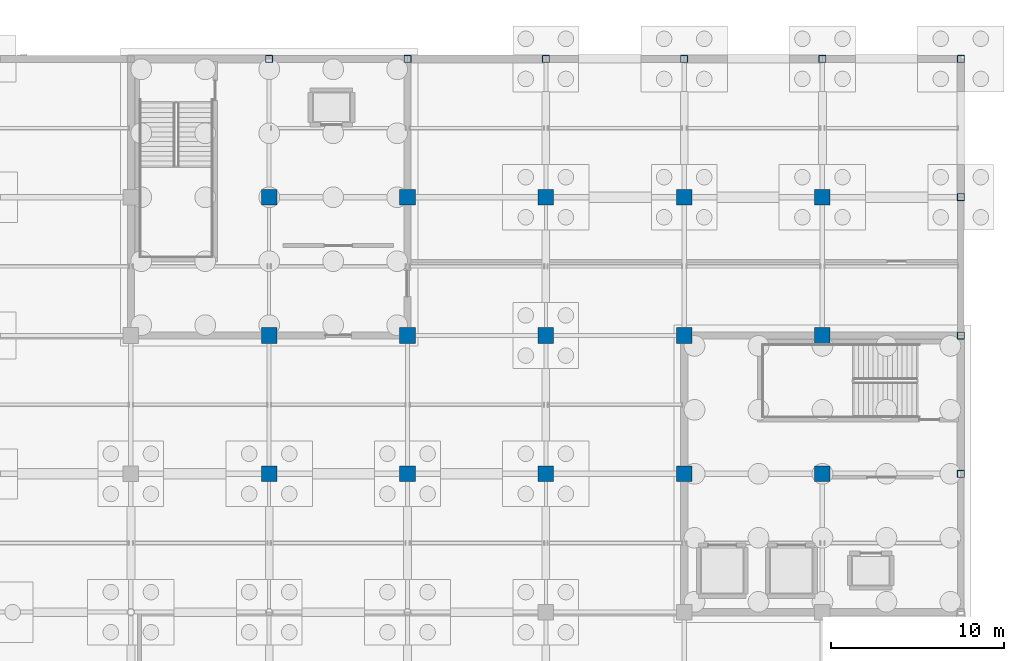
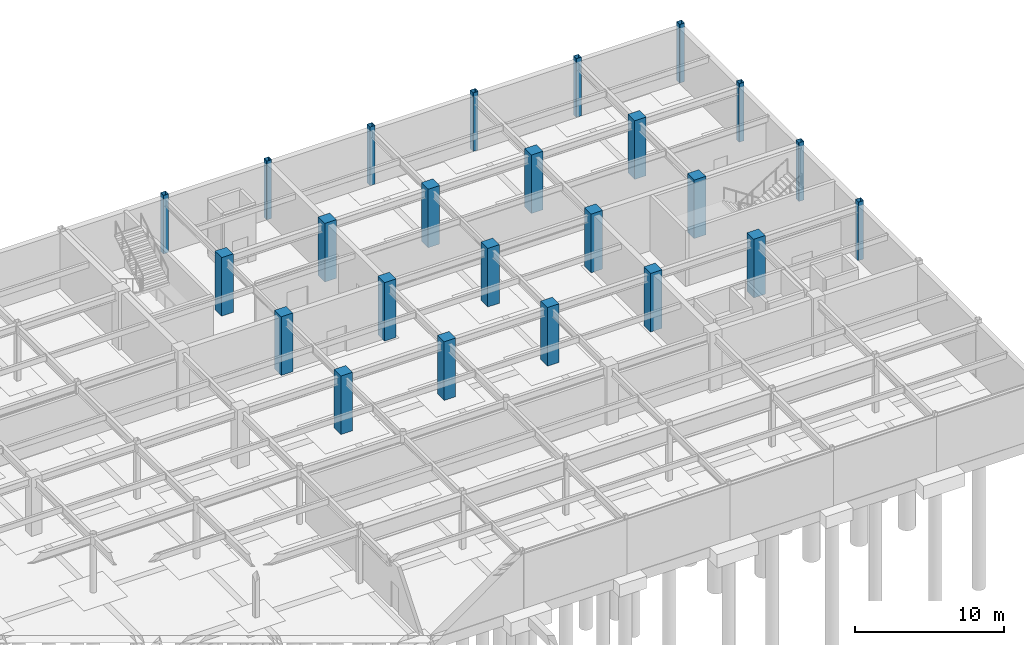
# One storey, part 43 of 105: 24 columns.
"""IFC4 building model written with IfcOpenShell, lengths in metres."""

from ifc_helpers import new_model, si_unit, direction, frame, origin, origin_2d, place, context, subcontext, project, spatial, rectangle, hollow_rectangle, extrude, material, material_profile, profile_set, type_object, element, save


model = new_model("IFC4")

# Units and contexts
model_context = context("Model", 3, precision=1e-05, world=origin(), true_north=direction((0.0, 1.0)))
body_context = subcontext(model_context, "Body", "Model", "MODEL_VIEW")
ifc_project = project(units=[si_unit("LENGTHUNIT", "METRE"), si_unit("AREAUNIT", "SQUARE_METRE"), si_unit("VOLUMEUNIT", "CUBIC_METRE"), si_unit("PLANEANGLEUNIT", "RADIAN"), si_unit("MASSUNIT", "GRAM", prefix="KILO")], contexts=[model_context])

# Site, building, storey
site_placement = place(None, origin())
site = spatial("IfcSite", under=ifc_project, at=site_placement, CompositionType="ELEMENT")
building_placement = place(site_placement, origin())
building = spatial("IfcBuilding", under=site, at=building_placement, Name="Solmirada Galleria", CompositionType="ELEMENT")
storey_placement = place(building_placement, frame((0.0, 0.0, -4.800048828125)))
storey = spatial("IfcBuildingStorey", under=building, at=storey_placement, Name="B1", CompositionType="ELEMENT", Elevation=-4.800048828125)

# Columns
ifc_material_1 = material(Name="Steel S355 / ASTM A500 Grade C", Category="steel")
ifc_material_profile_1 = material_profile(ifc_material_1, hollow_rectangle(XDim=0.406005859375, YDim=0.406005859375, WallThickness=0.0146484375, InnerFilletRadius=0.0146484375, OuterFilletRadius=0.029296875, at=origin_2d()), Name="HSS16X16X5/8")
ifc_profile_set_1 = profile_set([ifc_material_profile_1], Name="Steel S355 / ASTM A500 Grade C")
column_type_1 = type_object("IfcColumnType", Name="COL-HSS16", PredefinedType="COLUMN", material=ifc_profile_set_1)
for number, where, z_axis, x_axis, name in (
    (1, (136.0, 120.0, 0.0), (0.0, 0.0, 1.0), (1.0, 0.0, 0.0), "Structural column B1-1196"),
    (2, (144.0, 120.0, 0.0), (0.0, 0.0, 1.0), (1.0, 0.0, 0.0), "Structural column B1-1282"),
    (3, (152.0, 120.0, 0.0), (0.0, 0.0, 1.0), (1.0, 0.0, 0.0), "Structural column B1-1355"),
    (4, (160.0, 120.0, 0.0), (0.0, 0.0, 1.0), (1.0, 0.0, 0.0), "Structural column B1-1428"),
    (5, (168.0, 120.0, 0.0), (0.0, 0.0, 1.0), (1.0, 0.0, 0.0), "Structural column B1-1501"),
    (6, (176.0, 96.0, 0.0), (0.0, 0.0, 1.0), (1.0, 0.0, 0.0), "Structural column B1-1547"),
    (7, (176.0, 104.0, 0.0), (0.0, 0.0, 1.0), (1.0, 0.0, 0.0), "Structural column B1-1556"),
    (8, (176.0, 112.0, 0.0), (0.0, 0.0, 1.0), (1.0, 0.0, 0.0), "Structural column B1-1565"),
    (9, (176.0, 120.0, 0.0), (0.0, 0.0, 1.0), (1.0, 0.0, 0.0), "Structural column B1-1574"),
):
    element("IfcColumn", number, at=place(storey_placement, frame(where, z_axis=z_axis, x_axis=x_axis)), inside=storey, type_object=column_type_1, Name=name, PredefinedType="COLUMN", context=body_context, shape_type="SweptSolid", body=[
        extrude(hollow_rectangle(XDim=0.406005859375, YDim=0.406005859375, WallThickness=0.0146484375, InnerFilletRadius=0.0146484375, OuterFilletRadius=0.029296875, at=origin_2d()), origin(), (0.0, 0.0, 1.0), 4.800048828125),
    ])
ifc_material_2 = material(Name="Concrete C40/50", Category="concrete")
ifc_material_profile_2 = material_profile(ifc_material_2, rectangle(XDim=0.89990234375, YDim=0.89990234375, at=origin_2d()), Name="RC900X900")
ifc_profile_set_2 = profile_set([ifc_material_profile_2], Name="Concrete C40/50")
column_type_2 = type_object("IfcColumnType", Name="COL-RC900", PredefinedType="COLUMN", material=ifc_profile_set_2)
for number, where, z_axis, x_axis, name in (
    (10, (136.0, 96.0, 0.0), (0.0, 0.0, 1.0), (1.0, 0.0, 0.0), "Structural column B1-1169"),
    (11, (136.0, 104.0, 0.0), (0.0, 0.0, 1.0), (1.0, 0.0, 0.0), "Structural column B1-1178"),
    (12, (136.0, 112.0, 0.0), (0.0, 0.0, 1.0), (1.0, 0.0, 0.0), "Structural column B1-1187"),
    (13, (144.0, 96.0, 0.0), (0.0, 0.0, 1.0), (1.0, 0.0, 0.0), "Structural column B1-1255"),
    (14, (144.0, 104.0, 0.0), (0.0, 0.0, 1.0), (1.0, 0.0, 0.0), "Structural column B1-1264"),
    (15, (144.0, 112.0, 0.0), (0.0, 0.0, 1.0), (1.0, 0.0, 0.0), "Structural column B1-1273"),
    (16, (152.0, 96.0, 0.0), (0.0, 0.0, 1.0), (1.0, 0.0, 0.0), "Structural column B1-1328"),
    (17, (152.0, 104.0, 0.0), (0.0, 0.0, 1.0), (1.0, 0.0, 0.0), "Structural column B1-1337"),
    (18, (152.0, 112.0, 0.0), (0.0, 0.0, 1.0), (1.0, 0.0, 0.0), "Structural column B1-1346"),
    (19, (160.0, 96.0, 0.0), (0.0, 0.0, 1.0), (1.0, 0.0, 0.0), "Structural column B1-1401"),
    (20, (160.0, 104.0, 0.0), (0.0, 0.0, 1.0), (1.0, 0.0, 0.0), "Structural column B1-1410"),
    (21, (160.0, 112.0, 0.0), (0.0, 0.0, 1.0), (1.0, 0.0, 0.0), "Structural column B1-1419"),
    (22, (168.0, 96.0, 0.0), (0.0, 0.0, 1.0), (1.0, 0.0, 0.0), "Structural column B1-1474"),
    (23, (168.0, 104.0, 0.0), (0.0, 0.0, 1.0), (1.0, 0.0, 0.0), "Structural column B1-1483"),
    (24, (168.0, 112.0, 0.0), (0.0, 0.0, 1.0), (1.0, 0.0, 0.0), "Structural column B1-1492"),
):
    element("IfcColumn", number, at=place(storey_placement, frame(where, z_axis=z_axis, x_axis=x_axis)), inside=storey, type_object=column_type_2, Name=name, PredefinedType="COLUMN", context=body_context, shape_type="SweptSolid", body=[
        extrude(rectangle(XDim=0.89990234375, YDim=0.89990234375, at=origin_2d()), origin(), (0.0, 0.0, 1.0), 4.800048828125),
    ])

save(model, "model.ifc")
